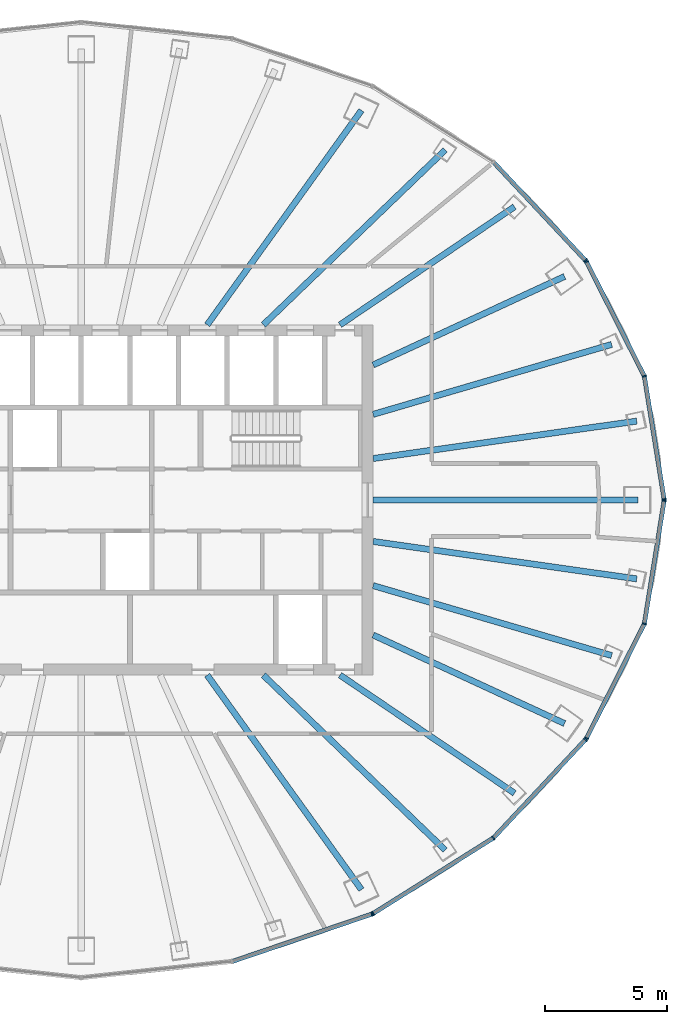
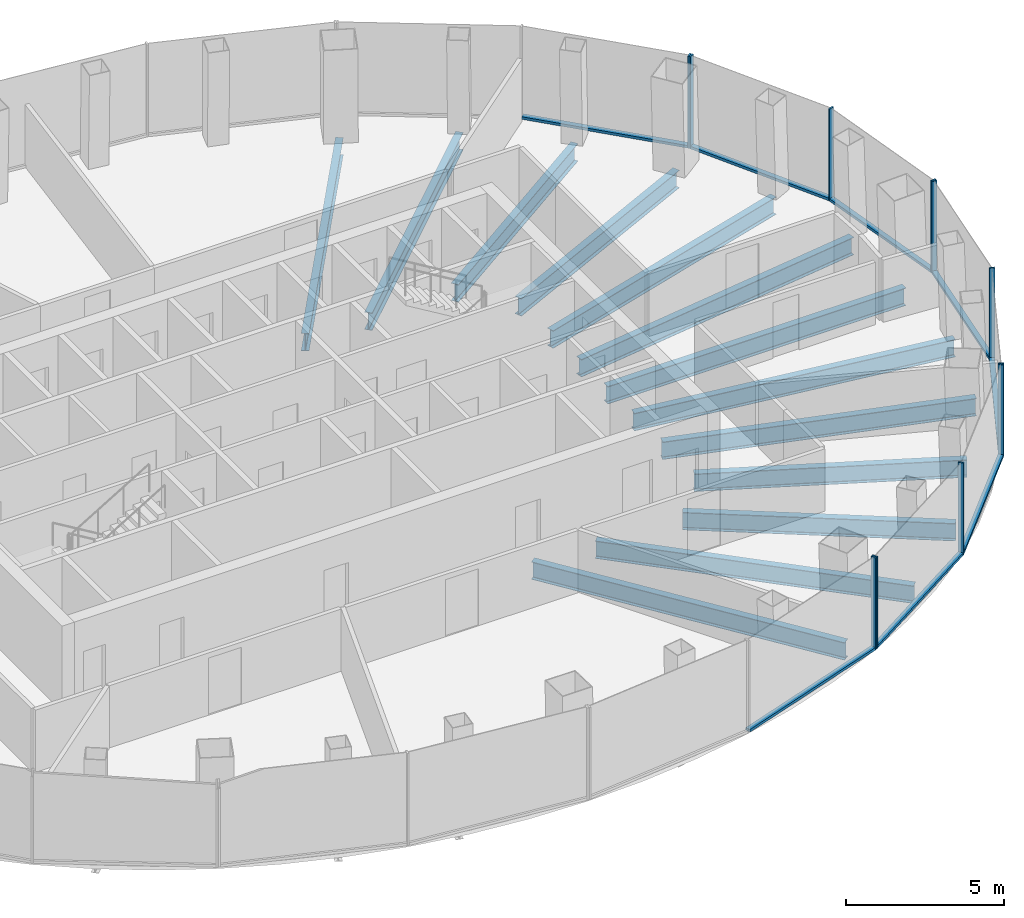
# One storey, part 4 of 10: 19 members, 13 beams, 5 elements without a shape of their own.
"""IFC4 building model written with IfcOpenShell, lengths in metres."""

from ifc_helpers import new_model, si_unit, direction, frame, origin, origin_2d, place, context, subcontext, project, spatial, rectangle, i_section, extrude, material, layer, layer_set, material_profile, profile_set, type_object, element, aggregate, save


model = new_model("IFC4")

# Units and contexts
model_context = context("Model", 3, precision=1e-05, world=origin(), true_north=direction((0.0, 1.0)))
body_context = subcontext(model_context, "Body", "Model", "MODEL_VIEW")
ifc_project = project(units=[si_unit("LENGTHUNIT", "METRE"), si_unit("AREAUNIT", "SQUARE_METRE"), si_unit("VOLUMEUNIT", "CUBIC_METRE"), si_unit("PLANEANGLEUNIT", "RADIAN"), si_unit("MASSUNIT", "GRAM", prefix="KILO")], contexts=[model_context])

# Site, building, storey
site_placement = place(None, origin())
site = spatial("IfcSite", under=ifc_project, at=site_placement, CompositionType="ELEMENT")
building_placement = place(site_placement, origin())
building = spatial("IfcBuilding", under=site, at=building_placement, Name="Siaravel Broadcast Tower", CompositionType="ELEMENT")
storey_placement = place(building_placement, frame((0.0, 0.0, 160.800048828125)))
storey = spatial("IfcBuildingStorey", under=building, at=storey_placement, Name="L38", CompositionType="ELEMENT", Elevation=160.800048828125)

# Beams
ifc_material_1 = material(Name="Steel S355", Category="steel")
ifc_material_profile_1 = material_profile(ifc_material_1, i_section(OverallWidth=0.2529296875, OverallDepth=0.677978515625, WebThickness=0.01171875, FlangeThickness=0.01611328125, FilletRadius=0.01513671875, at=origin_2d()))
ifc_profile_set_1 = profile_set([ifc_material_profile_1], Name="Steel S355")
beam_type = type_object("IfcBeamType", Name="BM-UB 686x254x125", PredefinedType="BEAM", material=ifc_profile_set_1)
beam_1_placement = place(storey_placement, frame((22.876953125, 0.0, -0.489013671875), z_axis=(-1.0, 0.0, 0.0), x_axis=(0.0, -1.0, 0.0)))
element("IfcBeam", 1, at=beam_1_placement, inside=storey, type_object=beam_type, Name="Radial beam RB01", PredefinedType="BEAM", context=body_context, shape_type="SweptSolid", body=[
    extrude(i_section(OverallWidth=0.2529296875, OverallDepth=0.677978515625, WebThickness=0.01171875, FlangeThickness=0.01611328125, FilletRadius=0.01513671875, at=origin_2d()), origin(), (0.0, 0.0, 1.0), 10.876953125),
])
beam_2_placement = place(storey_placement, frame((22.83056640625, 3.2421875, -0.489013671875), z_axis=(-0.990066101, -0.140602688, 0.0), x_axis=(0.140602688, -0.990066101, 0.0)))
element("IfcBeam", 2, at=beam_2_placement, inside=storey, type_object=beam_type, Name="Radial beam RB02", PredefinedType="BEAM", context=body_context, shape_type="SweptSolid", body=[
    extrude(i_section(OverallWidth=0.2529296875, OverallDepth=0.677978515625, WebThickness=0.01171875, FlangeThickness=0.01611328125, FilletRadius=0.01513671875, at=origin_2d()), origin(), (0.0, 0.0, 1.0), 10.939208984375),
])
beam_3_placement = place(storey_placement, frame((21.7998046875, 6.392333984375, -0.489013671875), z_axis=(-0.959597387, -0.281376713, 0.0), x_axis=(0.281376713, -0.959597387, 0.0)))
element("IfcBeam", 3, at=beam_3_placement, inside=storey, type_object=beam_type, Name="Radial beam RB03", PredefinedType="BEAM", context=body_context, shape_type="SweptSolid", body=[
    extrude(i_section(OverallWidth=0.2529296875, OverallDepth=0.677978515625, WebThickness=0.01171875, FlangeThickness=0.01611328125, FilletRadius=0.01513671875, at=origin_2d()), origin(), (0.0, 0.0, 1.0), 10.21240234375),
])
beam_4_placement = place(storey_placement, frame((19.865478515625, 9.18603515625, -0.489013671875), z_axis=(-0.907663131, -0.419699465, 0.0), x_axis=(0.419699465, -0.907663131, 0.0)))
element("IfcBeam", 4, at=beam_4_placement, inside=storey, type_object=beam_type, Name="Radial beam RB04", PredefinedType="BEAM", context=body_context, shape_type="SweptSolid", body=[
    extrude(i_section(OverallWidth=0.2529296875, OverallDepth=0.677978515625, WebThickness=0.01171875, FlangeThickness=0.01611328125, FilletRadius=0.01513671875, at=origin_2d()), origin(), (0.0, 0.0, 1.0), 8.66552734375),
])
beam_5_placement = place(storey_placement, frame((17.80859375, 12.0517578125, -0.489013671875), z_axis=(-0.828172913, -0.560472682, 0.0), x_axis=(0.560472682, -0.828172913, 0.0)))
element("IfcBeam", 5, at=beam_5_placement, inside=storey, type_object=beam_type, Name="Radial beam RB05", PredefinedType="BEAM", context=body_context, shape_type="SweptSolid", body=[
    extrude(i_section(OverallWidth=0.2529296875, OverallDepth=0.677978515625, WebThickness=0.01171875, FlangeThickness=0.01611328125, FilletRadius=0.01513671875, at=origin_2d()), origin(), (0.0, 0.0, 1.0), 8.65673828125),
])
beam_6_placement = place(storey_placement, frame((14.958984375, 14.385498046875, -0.489013671875), z_axis=(-0.720795955, -0.693147309, 0.0), x_axis=(0.693147309, -0.720795955, 0.0)))
element("IfcBeam", 6, at=beam_6_placement, inside=storey, type_object=beam_type, Name="Radial beam RB06", PredefinedType="BEAM", context=body_context, shape_type="SweptSolid", body=[
    extrude(i_section(OverallWidth=0.2529296875, OverallDepth=0.677978515625, WebThickness=0.01171875, FlangeThickness=0.01611328125, FilletRadius=0.01513671875, at=origin_2d()), origin(), (0.0, 0.0, 1.0), 10.366455078125),
])
for number, where, z_axis, x_axis, name in (
    (7, (11.518310546875, 16.01416015625, -0.489013671875), (-0.583902436, -0.811823839, 0.0), (0.811823839, -0.583902436, 0.0), "Radial beam RB07"),
    (8, (11.518310546875, -16.01416015625, -0.489013671875), (-0.583902436, 0.811823839, 0.0), (-0.811823839, -0.583902436, 0.0), "Radial beam RB31"),
):
    element("IfcBeam", number, at=place(storey_placement, frame(where, z_axis=z_axis, x_axis=x_axis)), inside=storey, type_object=beam_type, Name=name, PredefinedType="BEAM", context=body_context, shape_type="SweptSolid", body=[
        extrude(i_section(OverallWidth=0.2529296875, OverallDepth=0.677978515625, WebThickness=0.01171875, FlangeThickness=0.01611328125, FilletRadius=0.01513671875, at=origin_2d()), origin(), (0.0, 0.0, 1.0), 10.857177734375),
    ])
beam_7_placement = place(storey_placement, frame((14.958984375, -14.385498046875, -0.489013671875), z_axis=(-0.720795955, 0.693147309, 0.0), x_axis=(-0.693147309, -0.720795955, 0.0)))
element("IfcBeam", 9, at=beam_7_placement, inside=storey, type_object=beam_type, Name="Radial beam RB32", PredefinedType="BEAM", context=body_context, shape_type="SweptSolid", body=[
    extrude(i_section(OverallWidth=0.2529296875, OverallDepth=0.677978515625, WebThickness=0.01171875, FlangeThickness=0.01611328125, FilletRadius=0.01513671875, at=origin_2d()), origin(), (0.0, 0.0, 1.0), 10.366455078125),
])
beam_8_placement = place(storey_placement, frame((17.80859375, -12.0517578125, -0.489013671875), z_axis=(-0.828172913, 0.560472682, 0.0), x_axis=(-0.560472682, -0.828172913, 0.0)))
element("IfcBeam", 10, at=beam_8_placement, inside=storey, type_object=beam_type, Name="Radial beam RB33", PredefinedType="BEAM", context=body_context, shape_type="SweptSolid", body=[
    extrude(i_section(OverallWidth=0.2529296875, OverallDepth=0.677978515625, WebThickness=0.01171875, FlangeThickness=0.01611328125, FilletRadius=0.01513671875, at=origin_2d()), origin(), (0.0, 0.0, 1.0), 8.65673828125),
])
beam_9_placement = place(storey_placement, frame((19.865478515625, -9.18603515625, -0.489013671875), z_axis=(-0.907663131, 0.419699465, 0.0), x_axis=(-0.419699465, -0.907663131, 0.0)))
element("IfcBeam", 11, at=beam_9_placement, inside=storey, type_object=beam_type, Name="Radial beam RB34", PredefinedType="BEAM", context=body_context, shape_type="SweptSolid", body=[
    extrude(i_section(OverallWidth=0.2529296875, OverallDepth=0.677978515625, WebThickness=0.01171875, FlangeThickness=0.01611328125, FilletRadius=0.01513671875, at=origin_2d()), origin(), (0.0, 0.0, 1.0), 8.66552734375),
])
beam_10_placement = place(storey_placement, frame((21.7998046875, -6.392333984375, -0.489013671875), z_axis=(-0.959597387, 0.281376713, 0.0), x_axis=(-0.281376713, -0.959597387, 0.0)))
element("IfcBeam", 12, at=beam_10_placement, inside=storey, type_object=beam_type, Name="Radial beam RB35", PredefinedType="BEAM", context=body_context, shape_type="SweptSolid", body=[
    extrude(i_section(OverallWidth=0.2529296875, OverallDepth=0.677978515625, WebThickness=0.01171875, FlangeThickness=0.01611328125, FilletRadius=0.01513671875, at=origin_2d()), origin(), (0.0, 0.0, 1.0), 10.21240234375),
])
beam_11_placement = place(storey_placement, frame((22.83056640625, -3.2421875, -0.489013671875), z_axis=(-0.990066101, 0.140602688, 0.0), x_axis=(-0.140602688, -0.990066101, 0.0)))
element("IfcBeam", 13, at=beam_11_placement, inside=storey, type_object=beam_type, Name="Radial beam RB36", PredefinedType="BEAM", context=body_context, shape_type="SweptSolid", body=[
    extrude(i_section(OverallWidth=0.2529296875, OverallDepth=0.677978515625, WebThickness=0.01171875, FlangeThickness=0.01611328125, FilletRadius=0.01513671875, at=origin_2d()), origin(), (0.0, 0.0, 1.0), 10.939208984375),
])

# Curtain wall, members
ifc_material_2 = material(Name="Aluminium 6063-T6", Category="aluminium")
ifc_layer = layer(ifc_material_2, 0.179931640625)
ifc_layer_set = layer_set([ifc_layer], Name="Aluminium 6063-T6")
curtain_wall_type = type_object("IfcCurtainWallType", Name="Unitised curtain wall, zone 3", PredefinedType="NOTDEFINED", material=ifc_layer_set)
curtain_wall_1_placement = place(storey_placement, origin())
curtain_wall_1 = element("IfcCurtainWall", 14, at=curtain_wall_1_placement, inside=storey, type_object=curtain_wall_type, Name="L38 Unitised curtain wall, zone 3 01", PredefinedType="NOTDEFINED")
ifc_material_profile_2 = material_profile(ifc_material_2, rectangle(XDim=0.179931640625, YDim=0.06005859375, at=origin_2d()))
ifc_profile_set_2 = profile_set([ifc_material_profile_2], Name="Aluminium 6063-T6")
member_type_1 = type_object("IfcMemberType", Name="CW-Z3 mullion", PredefinedType="MULLION", material=ifc_profile_set_2)
member_1_placement = place(storey_placement, frame((23.9580078125, 0.029541015625, 0.0), z_axis=(0.0, 0.0, 1.0), x_axis=(-0.987329251, -0.158685063, 0.0)))
member_1 = element("IfcMember", 15, at=member_1_placement, type_object=member_type_1, Name="CW-Z3 mullion 1", PredefinedType="MULLION", context=body_context, shape_type="SweptSolid", body=[
    extrude(rectangle(XDim=0.179931640625, YDim=0.06005859375, at=origin_2d()), origin(), (0.0, 0.0, 1.0), 3.550048828125),
])
member_2_placement = place(storey_placement, frame((23.1455078125, 5.085205078125, 0.0), z_axis=(0.0, 0.0, 1.0), x_axis=(-0.951177457, -0.30864453, 0.0)))
member_2 = element("IfcMember", 16, at=member_2_placement, type_object=member_type_1, Name="CW-Z3 mullion 2", PredefinedType="MULLION", context=body_context, shape_type="SweptSolid", body=[
    extrude(rectangle(XDim=0.179931640625, YDim=0.06005859375, at=origin_2d()), origin(), (0.0, 0.0, 1.0), 3.550048828125),
])
member_3_placement = place(storey_placement, frame((20.763427734375, 9.795654296875, 0.0), z_axis=(0.0, 0.0, 1.0), x_axis=(-0.89239259, -0.451259864, 0.0)))
member_3 = element("IfcMember", 17, at=member_3_placement, type_object=member_type_1, Name="CW-Z3 mullion 3", PredefinedType="MULLION", context=body_context, shape_type="SweptSolid", body=[
    extrude(rectangle(XDim=0.179931640625, YDim=0.06005859375, at=origin_2d()), origin(), (0.0, 0.0, 1.0), 3.550048828125),
])

# Curtain wall, member
curtain_wall_2_placement = place(storey_placement, origin())
curtain_wall_2 = element("IfcCurtainWall", 18, at=curtain_wall_2_placement, inside=storey, type_object=curtain_wall_type, Name="L38 Unitised curtain wall, zone 3 02", PredefinedType="NOTDEFINED")
member_4_placement = place(storey_placement, frame((20.7294921875, 9.844482421875, 0.0), z_axis=(0.0, 0.0, 1.0), x_axis=(-0.729806172, -0.683654117, 0.0)))
member_4 = element("IfcMember", 19, at=member_4_placement, type_object=member_type_1, Name="CW-Z3 mullion 1", PredefinedType="MULLION", context=body_context, shape_type="SweptSolid", body=[
    extrude(rectangle(XDim=0.179931640625, YDim=0.06005859375, at=origin_2d()), origin(), (0.0, 0.0, 1.0), 3.550048828125),
])

curtain_wall_3_placement = place(storey_placement, origin())
curtain_wall_3 = element("IfcCurtainWall", 20, at=curtain_wall_3_placement, inside=storey, type_object=curtain_wall_type, Name="L38 Unitised curtain wall, zone 3 10", PredefinedType="NOTDEFINED")
member_5_placement = place(storey_placement, frame((11.949462890625, -17.017822265625, 0.0), z_axis=(0.0, 0.0, 1.0), x_axis=(-0.321301405, 0.946976983, 0.0)))
member_5 = element("IfcMember", 21, at=member_5_placement, type_object=member_type_1, Name="CW-Z3 mullion 3", PredefinedType="MULLION", context=body_context, shape_type="SweptSolid", body=[
    extrude(rectangle(XDim=0.179931640625, YDim=0.06005859375, at=origin_2d()), origin(), (0.0, 0.0, 1.0), 3.550048828125),
])

# Curtain wall, members
curtain_wall_4_placement = place(storey_placement, origin())
curtain_wall_4 = element("IfcCurtainWall", 22, at=curtain_wall_4_placement, inside=storey, type_object=curtain_wall_type, Name="L38 Unitised curtain wall, zone 3 11", PredefinedType="NOTDEFINED")
member_6_placement = place(storey_placement, frame((12.003173828125, -16.9921875, 0.0), z_axis=(0.0, 0.0, 1.0), x_axis=(-0.532150259, 0.846649928, 0.0)))
member_6 = element("IfcMember", 23, at=member_6_placement, type_object=member_type_1, Name="CW-Z3 mullion 1", PredefinedType="MULLION", context=body_context, shape_type="SweptSolid", body=[
    extrude(rectangle(XDim=0.179931640625, YDim=0.06005859375, at=origin_2d()), origin(), (0.0, 0.0, 1.0), 3.550048828125),
])
member_7_placement = place(storey_placement, frame((16.940673828125, -13.888916015625, 0.0), z_axis=(0.0, 0.0, 1.0), x_axis=(-0.63621963, 0.771507993, 0.0)))
member_7 = element("IfcMember", 24, at=member_7_placement, type_object=member_type_1, Name="CW-Z3 mullion 2", PredefinedType="MULLION", context=body_context, shape_type="SweptSolid", body=[
    extrude(rectangle(XDim=0.179931640625, YDim=0.06005859375, at=origin_2d()), origin(), (0.0, 0.0, 1.0), 3.550048828125),
])
member_8_placement = place(storey_placement, frame((20.7294921875, -9.844482421875, 0.0), z_axis=(0.0, 0.0, 1.0), x_axis=(-0.729806172, 0.683654117, 0.0)))
member_8 = element("IfcMember", 25, at=member_8_placement, type_object=member_type_1, Name="CW-Z3 mullion 3", PredefinedType="MULLION", context=body_context, shape_type="SweptSolid", body=[
    extrude(rectangle(XDim=0.179931640625, YDim=0.06005859375, at=origin_2d()), origin(), (0.0, 0.0, 1.0), 3.550048828125),
])

curtain_wall_5_placement = place(storey_placement, origin())
curtain_wall_5 = element("IfcCurtainWall", 26, at=curtain_wall_5_placement, inside=storey, type_object=curtain_wall_type, Name="L38 Unitised curtain wall, zone 3 12", PredefinedType="NOTDEFINED")
member_9_placement = place(storey_placement, frame((20.763427734375, -9.795654296875, 0.0), z_axis=(0.0, 0.0, 1.0), x_axis=(-0.89239259, 0.451259864, 0.0)))
member_9 = element("IfcMember", 27, at=member_9_placement, type_object=member_type_1, Name="CW-Z3 mullion 1", PredefinedType="MULLION", context=body_context, shape_type="SweptSolid", body=[
    extrude(rectangle(XDim=0.179931640625, YDim=0.06005859375, at=origin_2d()), origin(), (0.0, 0.0, 1.0), 3.550048828125),
])
member_10_placement = place(storey_placement, frame((23.1455078125, -5.085205078125, 0.0), z_axis=(0.0, 0.0, 1.0), x_axis=(-0.951177457, 0.30864453, 0.0)))
member_10 = element("IfcMember", 28, at=member_10_placement, type_object=member_type_1, Name="CW-Z3 mullion 2", PredefinedType="MULLION", context=body_context, shape_type="SweptSolid", body=[
    extrude(rectangle(XDim=0.179931640625, YDim=0.06005859375, at=origin_2d()), origin(), (0.0, 0.0, 1.0), 3.550048828125),
])
member_11_placement = place(storey_placement, frame((23.9580078125, -0.029541015625, 0.0), z_axis=(0.0, 0.0, 1.0), x_axis=(-0.987329251, 0.158685063, 0.0)))
member_11 = element("IfcMember", 29, at=member_11_placement, type_object=member_type_1, Name="CW-Z3 mullion 3", PredefinedType="MULLION", context=body_context, shape_type="SweptSolid", body=[
    extrude(rectangle(XDim=0.179931640625, YDim=0.06005859375, at=origin_2d()), origin(), (0.0, 0.0, 1.0), 3.550048828125),
])

# Member
ifc_material_profile_3 = material_profile(ifc_material_2, rectangle(XDim=0.179931640625, YDim=0.10009765625, at=origin_2d()))
ifc_profile_set_3 = profile_set([ifc_material_profile_3], Name="Aluminium 6063-T6")
member_type_2 = type_object("IfcMemberType", Name="CW-Z3 transom", PredefinedType="USERDEFINED", material=ifc_profile_set_3)
member_12_placement = place(storey_placement, frame((23.953369140625, 0.05908203125, 0.050048828125), z_axis=(-0.158677256, 0.987330506, 0.0), x_axis=(-0.987330506, -0.158677256, 0.0)))
member_12 = element("IfcMember", 30, at=member_12_placement, type_object=member_type_2, Name="CW-Z3 transom 1", ObjectType="TRANSOM", PredefinedType="USERDEFINED", context=body_context, shape_type="SweptSolid", body=[
    extrude(rectangle(XDim=0.179931640625, YDim=0.10009765625, at=origin_2d()), origin(), (0.0, 0.0, 1.0), 5.060546875),
])

member_13_placement = place(storey_placement, frame((23.132080078125, 5.11181640625, 0.050048828125), z_axis=(-0.451269759, 0.892387586, 0.0), x_axis=(-0.892387586, -0.451269759, 0.0)))
member_13 = element("IfcMember", 31, at=member_13_placement, type_object=member_type_2, Name="CW-Z3 transom 2", ObjectType="TRANSOM", PredefinedType="USERDEFINED", context=body_context, shape_type="SweptSolid", body=[
    extrude(rectangle(XDim=0.179931640625, YDim=0.10009765625, at=origin_2d()), origin(), (0.0, 0.0, 1.0), 5.218505859375),
])

aggregate(curtain_wall_1, [member_1, member_2, member_3, member_12, member_13])

member_14_placement = place(storey_placement, frame((20.708984375, 9.8662109375, 0.050048828125), z_axis=(-0.68363887, 0.729820454, 0.0), x_axis=(-0.729820454, -0.68363887, 0.0)))
member_14 = element("IfcMember", 32, at=member_14_placement, type_object=member_type_2, Name="CW-Z3 transom 1", ObjectType="TRANSOM", PredefinedType="USERDEFINED", context=body_context, shape_type="SweptSolid", body=[
    extrude(rectangle(XDim=0.179931640625, YDim=0.10009765625, at=origin_2d()), origin(), (0.0, 0.0, 1.0), 5.482177734375),
])

aggregate(curtain_wall_2, [member_4, member_14])

member_15_placement = place(storey_placement, frame((6.228271484375, -18.958984375, 0.050048828125), z_axis=(0.946980245, 0.321291792, 0.0), x_axis=(-0.321291792, 0.946980245, 0.0)))
member_15 = element("IfcMember", 33, at=member_15_placement, type_object=member_type_2, Name="CW-Z3 transom 2", ObjectType="TRANSOM", PredefinedType="USERDEFINED", context=body_context, shape_type="SweptSolid", body=[
    extrude(rectangle(XDim=0.179931640625, YDim=0.10009765625, at=origin_2d()), origin(), (0.0, 0.0, 1.0), 6.01123046875),
])

aggregate(curtain_wall_3, [member_5, member_15])

member_16_placement = place(storey_placement, frame((12.028564453125, -16.976318359375, 0.050048828125), z_axis=(0.846664863, 0.532126498, 0.0), x_axis=(-0.532126498, 0.846664863, 0.0)))
member_16 = element("IfcMember", 34, at=member_16_placement, type_object=member_type_2, Name="CW-Z3 transom 1", ObjectType="TRANSOM", PredefinedType="USERDEFINED", context=body_context, shape_type="SweptSolid", body=[
    extrude(rectangle(XDim=0.179931640625, YDim=0.10009765625, at=origin_2d()), origin(), (0.0, 0.0, 1.0), 5.771728515625),
])

member_17_placement = place(storey_placement, frame((16.961181640625, -13.8671875, 0.050048828125), z_axis=(0.68363887, 0.729820454, 0.0), x_axis=(-0.729820454, 0.68363887, 0.0)))
member_17 = element("IfcMember", 35, at=member_17_placement, type_object=member_type_2, Name="CW-Z3 transom 2", ObjectType="TRANSOM", PredefinedType="USERDEFINED", context=body_context, shape_type="SweptSolid", body=[
    extrude(rectangle(XDim=0.179931640625, YDim=0.10009765625, at=origin_2d()), origin(), (0.0, 0.0, 1.0), 5.482177734375),
])

aggregate(curtain_wall_4, [member_6, member_7, member_8, member_16, member_17])

member_18_placement = place(storey_placement, frame((20.777099609375, -9.768798828125, 0.050048828125), z_axis=(0.451269759, 0.892387586, 0.0), x_axis=(-0.892387586, 0.451269759, 0.0)))
member_18 = element("IfcMember", 36, at=member_18_placement, type_object=member_type_2, Name="CW-Z3 transom 1", ObjectType="TRANSOM", PredefinedType="USERDEFINED", context=body_context, shape_type="SweptSolid", body=[
    extrude(rectangle(XDim=0.179931640625, YDim=0.10009765625, at=origin_2d()), origin(), (0.0, 0.0, 1.0), 5.218505859375),
])

member_19_placement = place(storey_placement, frame((23.150390625, -5.055419921875, 0.050048828125), z_axis=(0.158677256, 0.987330506, 0.0), x_axis=(-0.987330506, 0.158677256, 0.0)))
member_19 = element("IfcMember", 37, at=member_19_placement, type_object=member_type_2, Name="CW-Z3 transom 2", ObjectType="TRANSOM", PredefinedType="USERDEFINED", context=body_context, shape_type="SweptSolid", body=[
    extrude(rectangle(XDim=0.179931640625, YDim=0.10009765625, at=origin_2d()), origin(), (0.0, 0.0, 1.0), 5.060546875),
])

aggregate(curtain_wall_5, [member_9, member_10, member_11, member_18, member_19])

save(model, "model.ifc")
